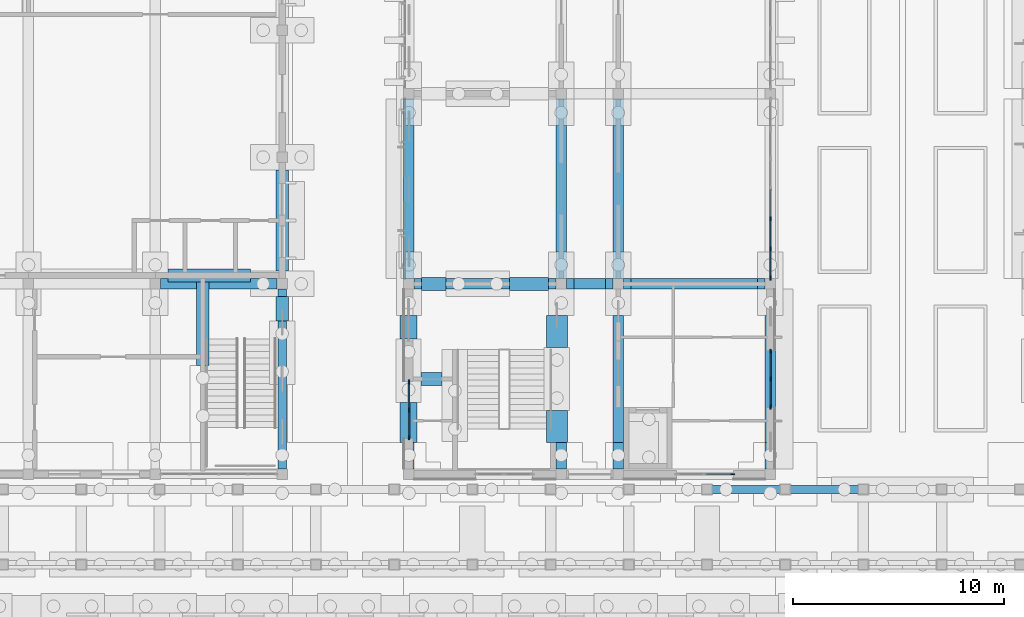
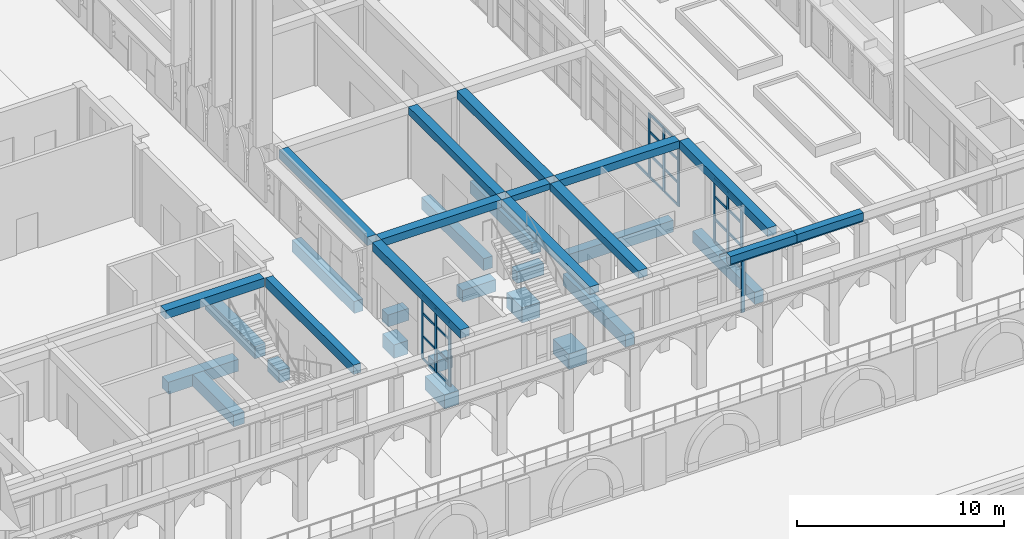
# One storey, part 21 of 161: 36 members, 32 beams, 4 elements without a shape of their own.
"""IFC4 building model written with IfcOpenShell, lengths in metres."""

from ifc_helpers import new_model, si_unit, direction, frame, origin, origin_2d, place, context, subcontext, project, spatial, polyline, rectangle, outline, extrude, material, layer, layer_set, material_profile, profile_set, type_object, element, aggregate, save


model = new_model("IFC4")

# Units and contexts
model_context = context("Model", 3, precision=1e-05, world=origin(), true_north=direction((0.0, 1.0)))
body_context = subcontext(model_context, "Body", "Model", "MODEL_VIEW")
ifc_project = project(units=[si_unit("LENGTHUNIT", "METRE"), si_unit("AREAUNIT", "SQUARE_METRE"), si_unit("VOLUMEUNIT", "CUBIC_METRE"), si_unit("PLANEANGLEUNIT", "RADIAN"), si_unit("MASSUNIT", "GRAM", prefix="KILO")], contexts=[model_context])

# Site, building, storey
site_placement = place(None, origin())
site = spatial("IfcSite", under=ifc_project, at=site_placement, CompositionType="ELEMENT")
building_placement = place(site_placement, origin())
building = spatial("IfcBuilding", under=site, at=building_placement, Name="Elbe Cascade School", CompositionType="ELEMENT")
storey_placement = place(building_placement, origin())
storey = spatial("IfcBuildingStorey", under=building, at=storey_placement, Name="L00", CompositionType="ELEMENT", Elevation=0.0)

# Beams
ifc_material_1 = material(Name="Concrete C30/37", Category="concrete")
ifc_material_profile_1 = material_profile(ifc_material_1, rectangle(XDim=0.39990234375, YDim=0.550048828125, at=origin_2d()), Name="RC 400x550")
ifc_profile_set_1 = profile_set([ifc_material_profile_1], Name="Concrete C30/37")
beam_type_1 = type_object("IfcBeamType", Name="Assembly hall beam RC 400x550", PredefinedType="BEAM", material=ifc_profile_set_1)
beam_1_placement = place(storey_placement, frame((63.0, 6.25, 3.97509765625), z_axis=(0.0, 1.0, 0.0), x_axis=(-1.0, 0.0, 0.0)))
element("IfcBeam", 1, at=beam_1_placement, inside=storey, type_object=beam_type_1, Name="Assembly hall beam RC 400x550 B21", PredefinedType="BEAM", context=body_context, shape_type="SweptSolid", body=[
    extrude(rectangle(XDim=0.39990234375, YDim=0.550048828125, at=origin_2d()), origin(), (0.0, 0.0, 1.0), 8.5),
])
ifc_material_2 = material(Name="Concrete C30/37", Category="concrete")
ifc_material_profile_2 = material_profile(ifc_material_2, rectangle(XDim=0.5, YDim=0.5, at=origin_2d()), Name="RC 500x500")
ifc_profile_set_2 = profile_set([ifc_material_profile_2], Name="Concrete C30/37")
beam_type_2 = type_object("IfcBeamType", Name="Assembly hall beam RC 500x500", PredefinedType="BEAM", material=ifc_profile_set_2)
beam_2_placement = place(storey_placement, frame((57.25, 15.0, 4.0), z_axis=(1.0, 0.0, 0.0), x_axis=(0.0, 1.0, 0.0)))
element("IfcBeam", 2, at=beam_2_placement, inside=storey, type_object=beam_type_2, Name="Assembly hall beam RC 500x500 B20", PredefinedType="BEAM", context=body_context, shape_type="SweptSolid", body=[
    extrude(rectangle(XDim=0.5, YDim=0.5, at=origin_2d()), origin(), (0.0, 0.0, 1.0), 5.5),
])

# Curtain wall, members
ifc_material_3 = material(Name="Aluminium frame with double glazing, bronze anodised", Category="aluminium")
ifc_layer = layer(ifc_material_3, 0.199951171875)
ifc_layer_set = layer_set([ifc_layer], Name="Aluminium frame with double glazing, bronze anodised")
curtain_wall_type = type_object("IfcCurtainWallType", Name="Bars envelope Curtain wall, aluminium, bronze anodised, ground floor tall run", PredefinedType="NOTDEFINED", material=ifc_layer_set)
curtain_wall_1_placement = place(storey_placement, origin())
curtain_wall_1 = element("IfcCurtainWall", 3, at=curtain_wall_1_placement, inside=storey, type_object=curtain_wall_type, Name="Curtain wall CW3 A.L00.w1", PredefinedType="NOTDEFINED")
ifc_material_4 = material(Name="Aluminium mullion, bronze anodised", Category="aluminium")
ifc_material_profile_3 = material_profile(ifc_material_4, rectangle(XDim=0.06005859375, YDim=0.199951171875, at=origin_2d()), Name="Bars envelope Curtain wall mullion 60 x 200, aluminium, ground floor tall run")
ifc_profile_set_3 = profile_set([ifc_material_profile_3], Name="Aluminium mullion, bronze anodised")
member_type_1 = type_object("IfcMemberType", Name="Bars envelope Curtain wall mullion 60 x 200, aluminium, ground floor tall run", PredefinedType="MULLION", material=ifc_profile_set_3)
member_1_placement = place(storey_placement, frame((69.0, 7.719970703125, 0.0), z_axis=(0.0, 0.0, 1.0), x_axis=(-1.0, 0.0, 0.0)))
member_1 = element("IfcMember", 4, at=member_1_placement, type_object=member_type_1, Name="CW3 mullion 1", PredefinedType="MULLION", context=body_context, shape_type="SweptSolid", body=[
    extrude(rectangle(XDim=0.06005859375, YDim=0.199951171875, at=origin_2d()), origin(), (0.0, 0.0, 1.0), 3.75),
])
member_2_placement = place(storey_placement, frame((69.0, 9.0400390625, 0.0), z_axis=(0.0, 0.0, 1.0), x_axis=(-1.0, 0.0, 0.0)))
member_2 = element("IfcMember", 5, at=member_2_placement, type_object=member_type_1, Name="CW3 mullion 2", PredefinedType="MULLION", context=body_context, shape_type="SweptSolid", body=[
    extrude(rectangle(XDim=0.06005859375, YDim=0.199951171875, at=origin_2d()), origin(), (0.0, 0.0, 1.0), 3.75),
])
member_3_placement = place(storey_placement, frame((69.0, 10.360107421875, 0.0), z_axis=(0.0, 0.0, 1.0), x_axis=(-1.0, 0.0, 0.0)))
member_3 = element("IfcMember", 6, at=member_3_placement, type_object=member_type_1, Name="CW3 mullion 3", PredefinedType="MULLION", context=body_context, shape_type="SweptSolid", body=[
    extrude(rectangle(XDim=0.06005859375, YDim=0.199951171875, at=origin_2d()), origin(), (0.0, 0.0, 1.0), 3.75),
])

curtain_wall_2_placement = place(storey_placement, origin())
curtain_wall_2 = element("IfcCurtainWall", 7, at=curtain_wall_2_placement, inside=storey, type_object=curtain_wall_type, Name="Curtain wall CW3 A.L00.e1", PredefinedType="NOTDEFINED")
member_4_placement = place(storey_placement, frame((86.10009765625, 11.820068359375, 0.0), z_axis=(0.0, 0.0, 1.0), x_axis=(1.0, 0.0, 0.0)))
member_4 = element("IfcMember", 8, at=member_4_placement, type_object=member_type_1, Name="CW3 mullion 1", PredefinedType="MULLION", context=body_context, shape_type="SweptSolid", body=[
    extrude(rectangle(XDim=0.06005859375, YDim=0.199951171875, at=origin_2d()), origin(), (0.0, 0.0, 1.0), 3.75),
])
member_5_placement = place(storey_placement, frame((86.10009765625, 10.5, 0.0), z_axis=(0.0, 0.0, 1.0), x_axis=(1.0, 0.0, 0.0)))
member_5 = element("IfcMember", 9, at=member_5_placement, type_object=member_type_1, Name="CW3 mullion 2", PredefinedType="MULLION", context=body_context, shape_type="SweptSolid", body=[
    extrude(rectangle(XDim=0.06005859375, YDim=0.199951171875, at=origin_2d()), origin(), (0.0, 0.0, 1.0), 3.75),
])
member_6_placement = place(storey_placement, frame((86.10009765625, 9.179931640625, 0.0), z_axis=(0.0, 0.0, 1.0), x_axis=(1.0, 0.0, 0.0)))
member_6 = element("IfcMember", 10, at=member_6_placement, type_object=member_type_1, Name="CW3 mullion 3", PredefinedType="MULLION", context=body_context, shape_type="SweptSolid", body=[
    extrude(rectangle(XDim=0.06005859375, YDim=0.199951171875, at=origin_2d()), origin(), (0.0, 0.0, 1.0), 3.75),
])

curtain_wall_3_placement = place(storey_placement, origin())
curtain_wall_3 = element("IfcCurtainWall", 11, at=curtain_wall_3_placement, inside=storey, type_object=curtain_wall_type, Name="Curtain wall CW3 A.L00.e2", PredefinedType="NOTDEFINED")
member_7_placement = place(storey_placement, frame((86.10009765625, 18.083251953125, 0.0), z_axis=(0.0, 0.0, 1.0), x_axis=(1.0, 0.0, 0.0)))
member_7 = element("IfcMember", 12, at=member_7_placement, type_object=member_type_1, Name="CW3 mullion 5", PredefinedType="MULLION", context=body_context, shape_type="SweptSolid", body=[
    extrude(rectangle(XDim=0.06005859375, YDim=0.199951171875, at=origin_2d()), origin(), (0.0, 0.0, 1.0), 3.75),
])
member_8_placement = place(storey_placement, frame((86.10009765625, 16.666748046875, 0.0), z_axis=(0.0, 0.0, 1.0), x_axis=(1.0, 0.0, 0.0)))
member_8 = element("IfcMember", 13, at=member_8_placement, type_object=member_type_1, Name="CW3 mullion 6", PredefinedType="MULLION", context=body_context, shape_type="SweptSolid", body=[
    extrude(rectangle(XDim=0.06005859375, YDim=0.199951171875, at=origin_2d()), origin(), (0.0, 0.0, 1.0), 3.75),
])
member_9_placement = place(storey_placement, frame((86.10009765625, 15.280029296875, 0.0), z_axis=(0.0, 0.0, 1.0), x_axis=(1.0, 0.0, 0.0)))
member_9 = element("IfcMember", 14, at=member_9_placement, type_object=member_type_1, Name="CW3 mullion 7", PredefinedType="MULLION", context=body_context, shape_type="SweptSolid", body=[
    extrude(rectangle(XDim=0.06005859375, YDim=0.199951171875, at=origin_2d()), origin(), (0.0, 0.0, 1.0), 3.75),
])

# Curtain wall, member
curtain_wall_4_placement = place(storey_placement, origin())
curtain_wall_4 = element("IfcCurtainWall", 15, at=curtain_wall_4_placement, inside=storey, type_object=curtain_wall_type, Name="Curtain wall CW3 A.L00.s3", PredefinedType="NOTDEFINED")
member_10_placement = place(storey_placement, frame((84.320068359375, 6.0, 0.0), z_axis=(0.0, 0.0, 1.0), x_axis=(0.0, -1.0, 0.0)))
member_10 = element("IfcMember", 16, at=member_10_placement, type_object=member_type_1, Name="CW3 mullion 1", PredefinedType="MULLION", context=body_context, shape_type="SweptSolid", body=[
    extrude(rectangle(XDim=0.06005859375, YDim=0.199951171875, at=origin_2d()), origin(), (0.0, 0.0, 1.0), 3.800048828125),
])

# Member
ifc_material_5 = material(Name="Aluminium transom, bronze anodised", Category="aluminium")
ifc_material_profile_4 = material_profile(ifc_material_5, rectangle(XDim=0.06005859375, YDim=0.139892578125, at=origin_2d()), Name="Bars envelope Curtain wall transom 60 x 140, aluminium, ground floor tall run")
ifc_profile_set_4 = profile_set([ifc_material_profile_4], Name="Aluminium transom, bronze anodised")
member_type_2 = type_object("IfcMemberType", Name="Bars envelope Curtain wall transom 60 x 140, aluminium, ground floor tall run", PredefinedType="USERDEFINED", material=ifc_profile_set_4)
member_11_placement = place(storey_placement, frame((69.0, 7.75, 0.030029296875), z_axis=(0.0, 1.0, 0.0), x_axis=(-1.0, 0.0, 0.0)))
member_11 = element("IfcMember", 17, at=member_11_placement, type_object=member_type_2, Name="CW3 transom 1.1", ObjectType="TRANSOM", PredefinedType="USERDEFINED", context=body_context, shape_type="SweptSolid", body=[
    extrude(rectangle(XDim=0.06005859375, YDim=0.139892578125, at=origin_2d()), origin(), (0.0, 0.0, 1.0), 1.260009765625),
])

member_12_placement = place(storey_placement, frame((69.0, 7.75, 1.35009765625), z_axis=(0.0, 1.0, 0.0), x_axis=(-1.0, 0.0, 0.0)))
member_12 = element("IfcMember", 18, at=member_12_placement, type_object=member_type_2, Name="CW3 transom 1.2", ObjectType="TRANSOM", PredefinedType="USERDEFINED", context=body_context, shape_type="SweptSolid", body=[
    extrude(rectangle(XDim=0.06005859375, YDim=0.139892578125, at=origin_2d()), origin(), (0.0, 0.0, 1.0), 1.260009765625),
])

member_13_placement = place(storey_placement, frame((69.0, 7.75, 2.699951171875), z_axis=(0.0, 1.0, 0.0), x_axis=(-1.0, 0.0, 0.0)))
member_13 = element("IfcMember", 19, at=member_13_placement, type_object=member_type_2, Name="CW3 transom 1.3", ObjectType="TRANSOM", PredefinedType="USERDEFINED", context=body_context, shape_type="SweptSolid", body=[
    extrude(rectangle(XDim=0.06005859375, YDim=0.139892578125, at=origin_2d()), origin(), (0.0, 0.0, 1.0), 1.260009765625),
])

member_14_placement = place(storey_placement, frame((69.0, 7.75, 3.719970703125), z_axis=(0.0, 1.0, 0.0), x_axis=(-1.0, 0.0, 0.0)))
member_14 = element("IfcMember", 20, at=member_14_placement, type_object=member_type_2, Name="CW3 transom 1.4", ObjectType="TRANSOM", PredefinedType="USERDEFINED", context=body_context, shape_type="SweptSolid", body=[
    extrude(rectangle(XDim=0.06005859375, YDim=0.139892578125, at=origin_2d()), origin(), (0.0, 0.0, 1.0), 1.260009765625),
])

member_15_placement = place(storey_placement, frame((69.0, 9.070068359375, 0.030029296875), z_axis=(0.0, 1.0, 0.0), x_axis=(-1.0, 0.0, 0.0)))
member_15 = element("IfcMember", 21, at=member_15_placement, type_object=member_type_2, Name="CW3 transom 2.1", ObjectType="TRANSOM", PredefinedType="USERDEFINED", context=body_context, shape_type="SweptSolid", body=[
    extrude(rectangle(XDim=0.06005859375, YDim=0.139892578125, at=origin_2d()), origin(), (0.0, 0.0, 1.0), 1.260009765625),
])

member_16_placement = place(storey_placement, frame((69.0, 9.070068359375, 1.35009765625), z_axis=(0.0, 1.0, 0.0), x_axis=(-1.0, 0.0, 0.0)))
member_16 = element("IfcMember", 22, at=member_16_placement, type_object=member_type_2, Name="CW3 transom 2.2", ObjectType="TRANSOM", PredefinedType="USERDEFINED", context=body_context, shape_type="SweptSolid", body=[
    extrude(rectangle(XDim=0.06005859375, YDim=0.139892578125, at=origin_2d()), origin(), (0.0, 0.0, 1.0), 1.260009765625),
])

member_17_placement = place(storey_placement, frame((69.0, 9.070068359375, 2.699951171875), z_axis=(0.0, 1.0, 0.0), x_axis=(-1.0, 0.0, 0.0)))
member_17 = element("IfcMember", 23, at=member_17_placement, type_object=member_type_2, Name="CW3 transom 2.3", ObjectType="TRANSOM", PredefinedType="USERDEFINED", context=body_context, shape_type="SweptSolid", body=[
    extrude(rectangle(XDim=0.06005859375, YDim=0.139892578125, at=origin_2d()), origin(), (0.0, 0.0, 1.0), 1.260009765625),
])

member_18_placement = place(storey_placement, frame((69.0, 9.070068359375, 3.719970703125), z_axis=(0.0, 1.0, 0.0), x_axis=(-1.0, 0.0, 0.0)))
member_18 = element("IfcMember", 24, at=member_18_placement, type_object=member_type_2, Name="CW3 transom 2.4", ObjectType="TRANSOM", PredefinedType="USERDEFINED", context=body_context, shape_type="SweptSolid", body=[
    extrude(rectangle(XDim=0.06005859375, YDim=0.139892578125, at=origin_2d()), origin(), (0.0, 0.0, 1.0), 1.260009765625),
])

aggregate(curtain_wall_1, [member_1, member_2, member_3, member_11, member_12, member_13, member_14, member_15, member_16, member_17, member_18])

member_19_placement = place(storey_placement, frame((86.10009765625, 11.7900390625, 0.030029296875), z_axis=(0.0, -1.0, 0.0), x_axis=(1.0, 0.0, 0.0)))
member_19 = element("IfcMember", 25, at=member_19_placement, type_object=member_type_2, Name="CW3 transom 1.1", ObjectType="TRANSOM", PredefinedType="USERDEFINED", context=body_context, shape_type="SweptSolid", body=[
    extrude(rectangle(XDim=0.06005859375, YDim=0.139892578125, at=origin_2d()), origin(), (0.0, 0.0, 1.0), 1.260009765625),
])

member_20_placement = place(storey_placement, frame((86.10009765625, 11.7900390625, 1.35009765625), z_axis=(0.0, -1.0, 0.0), x_axis=(1.0, 0.0, 0.0)))
member_20 = element("IfcMember", 26, at=member_20_placement, type_object=member_type_2, Name="CW3 transom 1.2", ObjectType="TRANSOM", PredefinedType="USERDEFINED", context=body_context, shape_type="SweptSolid", body=[
    extrude(rectangle(XDim=0.06005859375, YDim=0.139892578125, at=origin_2d()), origin(), (0.0, 0.0, 1.0), 1.260009765625),
])

member_21_placement = place(storey_placement, frame((86.10009765625, 11.7900390625, 2.699951171875), z_axis=(0.0, -1.0, 0.0), x_axis=(1.0, 0.0, 0.0)))
member_21 = element("IfcMember", 27, at=member_21_placement, type_object=member_type_2, Name="CW3 transom 1.3", ObjectType="TRANSOM", PredefinedType="USERDEFINED", context=body_context, shape_type="SweptSolid", body=[
    extrude(rectangle(XDim=0.06005859375, YDim=0.139892578125, at=origin_2d()), origin(), (0.0, 0.0, 1.0), 1.260009765625),
])

member_22_placement = place(storey_placement, frame((86.10009765625, 11.7900390625, 3.719970703125), z_axis=(0.0, -1.0, 0.0), x_axis=(1.0, 0.0, 0.0)))
member_22 = element("IfcMember", 28, at=member_22_placement, type_object=member_type_2, Name="CW3 transom 1.4", ObjectType="TRANSOM", PredefinedType="USERDEFINED", context=body_context, shape_type="SweptSolid", body=[
    extrude(rectangle(XDim=0.06005859375, YDim=0.139892578125, at=origin_2d()), origin(), (0.0, 0.0, 1.0), 1.260009765625),
])

member_23_placement = place(storey_placement, frame((86.10009765625, 10.469970703125, 0.030029296875), z_axis=(0.0, -1.0, 0.0), x_axis=(1.0, 0.0, 0.0)))
member_23 = element("IfcMember", 29, at=member_23_placement, type_object=member_type_2, Name="CW3 transom 2.1", ObjectType="TRANSOM", PredefinedType="USERDEFINED", context=body_context, shape_type="SweptSolid", body=[
    extrude(rectangle(XDim=0.06005859375, YDim=0.139892578125, at=origin_2d()), origin(), (0.0, 0.0, 1.0), 1.260009765625),
])

member_24_placement = place(storey_placement, frame((86.10009765625, 10.469970703125, 1.35009765625), z_axis=(0.0, -1.0, 0.0), x_axis=(1.0, 0.0, 0.0)))
member_24 = element("IfcMember", 30, at=member_24_placement, type_object=member_type_2, Name="CW3 transom 2.2", ObjectType="TRANSOM", PredefinedType="USERDEFINED", context=body_context, shape_type="SweptSolid", body=[
    extrude(rectangle(XDim=0.06005859375, YDim=0.139892578125, at=origin_2d()), origin(), (0.0, 0.0, 1.0), 1.260009765625),
])

member_25_placement = place(storey_placement, frame((86.10009765625, 10.469970703125, 2.699951171875), z_axis=(0.0, -1.0, 0.0), x_axis=(1.0, 0.0, 0.0)))
member_25 = element("IfcMember", 31, at=member_25_placement, type_object=member_type_2, Name="CW3 transom 2.3", ObjectType="TRANSOM", PredefinedType="USERDEFINED", context=body_context, shape_type="SweptSolid", body=[
    extrude(rectangle(XDim=0.06005859375, YDim=0.139892578125, at=origin_2d()), origin(), (0.0, 0.0, 1.0), 1.260009765625),
])

member_26_placement = place(storey_placement, frame((86.10009765625, 10.469970703125, 3.719970703125), z_axis=(0.0, -1.0, 0.0), x_axis=(1.0, 0.0, 0.0)))
member_26 = element("IfcMember", 32, at=member_26_placement, type_object=member_type_2, Name="CW3 transom 2.4", ObjectType="TRANSOM", PredefinedType="USERDEFINED", context=body_context, shape_type="SweptSolid", body=[
    extrude(rectangle(XDim=0.06005859375, YDim=0.139892578125, at=origin_2d()), origin(), (0.0, 0.0, 1.0), 1.260009765625),
])

aggregate(curtain_wall_2, [member_4, member_5, member_6, member_19, member_20, member_21, member_22, member_23, member_24, member_25, member_26])

member_27_placement = place(storey_placement, frame((86.10009765625, 19.469970703125, 0.030029296875), z_axis=(0.0, -1.0, 0.0), x_axis=(1.0, 0.0, 0.0)))
member_27 = element("IfcMember", 33, at=member_27_placement, type_object=member_type_2, Name="CW3 transom 4.1", ObjectType="TRANSOM", PredefinedType="USERDEFINED", context=body_context, shape_type="SweptSolid", body=[
    extrude(rectangle(XDim=0.06005859375, YDim=0.139892578125, at=origin_2d()), origin(), (0.0, 0.0, 1.0), 1.356689453125),
])

member_28_placement = place(storey_placement, frame((86.10009765625, 18.05322265625, 0.030029296875), z_axis=(0.0, -1.0, 0.0), x_axis=(1.0, 0.0, 0.0)))
member_28 = element("IfcMember", 34, at=member_28_placement, type_object=member_type_2, Name="CW3 transom 5.1", ObjectType="TRANSOM", PredefinedType="USERDEFINED", context=body_context, shape_type="SweptSolid", body=[
    extrude(rectangle(XDim=0.06005859375, YDim=0.139892578125, at=origin_2d()), origin(), (0.0, 0.0, 1.0), 1.3564453125),
])

member_29_placement = place(storey_placement, frame((86.10009765625, 18.05322265625, 1.35009765625), z_axis=(0.0, -1.0, 0.0), x_axis=(1.0, 0.0, 0.0)))
member_29 = element("IfcMember", 35, at=member_29_placement, type_object=member_type_2, Name="CW3 transom 5.2", ObjectType="TRANSOM", PredefinedType="USERDEFINED", context=body_context, shape_type="SweptSolid", body=[
    extrude(rectangle(XDim=0.06005859375, YDim=0.139892578125, at=origin_2d()), origin(), (0.0, 0.0, 1.0), 1.3564453125),
])

member_30_placement = place(storey_placement, frame((86.10009765625, 18.05322265625, 2.699951171875), z_axis=(0.0, -1.0, 0.0), x_axis=(1.0, 0.0, 0.0)))
member_30 = element("IfcMember", 36, at=member_30_placement, type_object=member_type_2, Name="CW3 transom 5.3", ObjectType="TRANSOM", PredefinedType="USERDEFINED", context=body_context, shape_type="SweptSolid", body=[
    extrude(rectangle(XDim=0.06005859375, YDim=0.139892578125, at=origin_2d()), origin(), (0.0, 0.0, 1.0), 1.3564453125),
])

member_31_placement = place(storey_placement, frame((86.10009765625, 18.05322265625, 3.719970703125), z_axis=(0.0, -1.0, 0.0), x_axis=(1.0, 0.0, 0.0)))
member_31 = element("IfcMember", 37, at=member_31_placement, type_object=member_type_2, Name="CW3 transom 5.4", ObjectType="TRANSOM", PredefinedType="USERDEFINED", context=body_context, shape_type="SweptSolid", body=[
    extrude(rectangle(XDim=0.06005859375, YDim=0.139892578125, at=origin_2d()), origin(), (0.0, 0.0, 1.0), 1.3564453125),
])

member_32_placement = place(storey_placement, frame((86.10009765625, 16.63671875, 0.030029296875), z_axis=(0.0, -1.0, 0.0), x_axis=(1.0, 0.0, 0.0)))
member_32 = element("IfcMember", 38, at=member_32_placement, type_object=member_type_2, Name="CW3 transom 6.1", ObjectType="TRANSOM", PredefinedType="USERDEFINED", context=body_context, shape_type="SweptSolid", body=[
    extrude(rectangle(XDim=0.06005859375, YDim=0.139892578125, at=origin_2d()), origin(), (0.0, 0.0, 1.0), 1.32666015625),
])

member_33_placement = place(storey_placement, frame((86.10009765625, 16.63671875, 1.35009765625), z_axis=(0.0, -1.0, 0.0), x_axis=(1.0, 0.0, 0.0)))
member_33 = element("IfcMember", 39, at=member_33_placement, type_object=member_type_2, Name="CW3 transom 6.2", ObjectType="TRANSOM", PredefinedType="USERDEFINED", context=body_context, shape_type="SweptSolid", body=[
    extrude(rectangle(XDim=0.06005859375, YDim=0.139892578125, at=origin_2d()), origin(), (0.0, 0.0, 1.0), 1.32666015625),
])

member_34_placement = place(storey_placement, frame((86.10009765625, 16.63671875, 2.699951171875), z_axis=(0.0, -1.0, 0.0), x_axis=(1.0, 0.0, 0.0)))
member_34 = element("IfcMember", 40, at=member_34_placement, type_object=member_type_2, Name="CW3 transom 6.3", ObjectType="TRANSOM", PredefinedType="USERDEFINED", context=body_context, shape_type="SweptSolid", body=[
    extrude(rectangle(XDim=0.06005859375, YDim=0.139892578125, at=origin_2d()), origin(), (0.0, 0.0, 1.0), 1.32666015625),
])

member_35_placement = place(storey_placement, frame((86.10009765625, 16.63671875, 3.719970703125), z_axis=(0.0, -1.0, 0.0), x_axis=(1.0, 0.0, 0.0)))
member_35 = element("IfcMember", 41, at=member_35_placement, type_object=member_type_2, Name="CW3 transom 6.4", ObjectType="TRANSOM", PredefinedType="USERDEFINED", context=body_context, shape_type="SweptSolid", body=[
    extrude(rectangle(XDim=0.06005859375, YDim=0.139892578125, at=origin_2d()), origin(), (0.0, 0.0, 1.0), 1.32666015625),
])

aggregate(curtain_wall_3, [member_7, member_8, member_9, member_27, member_28, member_29, member_30, member_31, member_32, member_33, member_34, member_35])

member_36_placement = place(storey_placement, frame((84.2900390625, 6.0, 3.77001953125), z_axis=(-1.0, 0.0, 0.0), x_axis=(0.0, -1.0, 0.0)))
member_36 = element("IfcMember", 42, at=member_36_placement, type_object=member_type_2, Name="CW3 transom 1.4", ObjectType="TRANSOM", PredefinedType="USERDEFINED", context=body_context, shape_type="SweptSolid", body=[
    extrude(rectangle(XDim=0.06005859375, YDim=0.139892578125, at=origin_2d()), origin(), (0.0, 0.0, 1.0), 1.260009765625),
])

aggregate(curtain_wall_4, [member_10, member_36])

# Beams
ifc_material_6 = material(Name="Concrete C35/45", Category="concrete")
ifc_material_profile_5 = material_profile(ifc_material_6, outline(polyline([(-0.199951171875, 0.300048828125), (0.199951171875, 0.300048828125), (0.199951171875, -0.14990234375), (0.10009765625, -0.300048828125), (-0.10009765625, -0.300048828125), (-0.199951171875, -0.14990234375), (-0.199951171875, 0.300048828125)])), Name="RC arch 400x600")
ifc_profile_set_5 = profile_set([ifc_material_profile_5], Name="Concrete C35/45")
beam_type_3 = type_object("IfcBeamType", Name="Colonnade arch beam 400x600", PredefinedType="USERDEFINED", material=ifc_profile_set_5)
for number, where, z_axis, x_axis, name in (
    (43, (83.10009765625, 5.27490234375, 3.949951171875), (1.0, 0.0, 0.0), (0.0, 1.0, 0.0), "Colonnade arch beam R21"),
    (44, (86.800048828125, 5.27490234375, 3.949951171875), (1.0, 0.0, 0.0), (0.0, 1.0, 0.0), "Colonnade arch beam R22"),
):
    element("IfcBeam", number, at=place(storey_placement, frame(where, z_axis=z_axis, x_axis=x_axis)), inside=storey, type_object=beam_type_3, Name=name, ObjectType="ARCH", PredefinedType="USERDEFINED", context=body_context, shape_type="SweptSolid", body=[
        extrude(outline(polyline([(-0.199951171875, 0.300048828125), (0.199951171875, 0.300048828125), (0.199951171875, -0.14990234375), (0.10009765625, -0.300048828125), (-0.10009765625, -0.300048828125), (-0.199951171875, -0.14990234375), (-0.199951171875, 0.300048828125)])), origin(), (0.0, 0.0, 1.0), 3.699951171875),
    ])
ifc_material_7 = material(Name="Concrete C30/37", Category="concrete")
ifc_material_profile_6 = material_profile(ifc_material_7, rectangle(XDim=1.0, YDim=0.89990234375, at=origin_2d()), Name="RC 1000x900")
ifc_profile_set_6 = profile_set([ifc_material_profile_6], Name="Concrete C30/37")
beam_type_4 = type_object("IfcBeamType", Name="Found ground beam RC 1000x900", PredefinedType="BEAM", material=ifc_profile_set_6)
for number, where, z_axis, x_axis, name in (
    (45, (76.0, 7.5, -0.75), (0.0, 1.0, 0.0), (-1.0, 0.0, 0.0), "Ground beam 054"),
    (46, (76.0, 12.0, -0.75), (0.0, 1.0, 0.0), (-1.0, 0.0, 0.0), "Ground beam 055"),
):
    element("IfcBeam", number, at=place(storey_placement, frame(where, z_axis=z_axis, x_axis=x_axis)), inside=storey, type_object=beam_type_4, Name=name, PredefinedType="BEAM", context=body_context, shape_type="SweptSolid", body=[
        extrude(rectangle(XDim=1.0, YDim=0.89990234375, at=origin_2d()), origin(), (0.0, 0.0, 1.0), 1.5),
    ])
ifc_material_8 = material(Name="Concrete C30/37", Category="concrete")
ifc_material_profile_7 = material_profile(ifc_material_8, rectangle(XDim=0.5, YDim=0.699951171875, at=origin_2d()), Name="RC 500x700")
ifc_profile_set_7 = profile_set([ifc_material_profile_7], Name="Concrete C30/37")
beam_type_5 = type_object("IfcBeamType", Name="Found ground beam RC 500x700", PredefinedType="BEAM", material=ifc_profile_set_7)
beam_3_placement = place(storey_placement, frame((76.800048828125, 15.0, -0.64990234375), z_axis=(1.0, 0.0, 0.0), x_axis=(0.0, 1.0, 0.0)))
element("IfcBeam", 47, at=beam_3_placement, inside=storey, type_object=beam_type_5, Name="Ground beam 178", PredefinedType="BEAM", context=body_context, shape_type="SweptSolid", body=[
    extrude(rectangle(XDim=0.5, YDim=0.699951171875, at=origin_2d()), origin(), (0.0, 0.0, 1.0), 1.5),
])
for number, where, z_axis, x_axis, name in (
    (48, (79.5, 15.0, -0.64990234375), (1.0, 0.0, 0.0), (0.0, 1.0, 0.0), "Ground beam 179"),
    (49, (69.0, 16.5, -0.64990234375), (0.0, 1.0, 0.0), (-1.0, 0.0, 0.0), "Ground beam 186"),
    (50, (76.199951171875, 16.5, -0.64990234375), (0.0, 1.0, 0.0), (-1.0, 0.0, 0.0), "Ground beam 191"),
    (51, (78.89990234375, 7.5, -0.64990234375), (0.0, 1.0, 0.0), (-1.0, 0.0, 0.0), "Ground beam 196"),
    (52, (78.89990234375, 16.5, -0.64990234375), (0.0, 1.0, 0.0), (-1.0, 0.0, 0.0), "Ground beam 197"),
    (53, (86.10009765625, 7.5, -0.64990234375), (0.0, 1.0, 0.0), (-1.0, 0.0, 0.0), "Ground beam 203"),
):
    element("IfcBeam", number, at=place(storey_placement, frame(where, z_axis=z_axis, x_axis=x_axis)), inside=storey, type_object=beam_type_5, Name=name, PredefinedType="BEAM", context=body_context, shape_type="SweptSolid", body=[
        extrude(rectangle(XDim=0.5, YDim=0.699951171875, at=origin_2d()), origin(), (0.0, 0.0, 1.0), 6.0),
    ])
ifc_material_9 = material(Name="Concrete C30/37", Category="concrete")
ifc_material_profile_8 = material_profile(ifc_material_9, rectangle(XDim=0.60009765625, YDim=0.699951171875, at=origin_2d()), Name="RC 600x700")
ifc_profile_set_8 = profile_set([ifc_material_profile_8], Name="Concrete C30/37")
beam_type_6 = type_object("IfcBeamType", Name="Found ground beam RC 600x700", PredefinedType="BEAM", material=ifc_profile_set_8)
beam_4_placement = place(storey_placement, frame((63.0, 13.25, -0.64990234375), z_axis=(0.0, 1.0, 0.0), x_axis=(-1.0, 0.0, 0.0)))
element("IfcBeam", 54, at=beam_4_placement, inside=storey, type_object=beam_type_6, Name="Ground beam 107", PredefinedType="BEAM", context=body_context, shape_type="SweptSolid", body=[
    extrude(rectangle(XDim=0.60009765625, YDim=0.699951171875, at=origin_2d()), origin(), (0.0, 0.0, 1.0), 1.14990234375),
])
beam_5_placement = place(storey_placement, frame((63.0, 15.60009765625, -0.64990234375), z_axis=(0.0, 1.0, 0.0), x_axis=(-1.0, 0.0, 0.0)))
element("IfcBeam", 55, at=beam_5_placement, inside=storey, type_object=beam_type_6, Name="Ground beam 108", PredefinedType="BEAM", context=body_context, shape_type="SweptSolid", body=[
    extrude(rectangle(XDim=0.60009765625, YDim=0.699951171875, at=origin_2d()), origin(), (0.0, 0.0, 1.0), 4.7998046875),
])
beam_6_placement = place(storey_placement, frame((57.60009765625, 15.39990234375, -0.64990234375), z_axis=(1.0, 0.0, 0.0), x_axis=(0.0, 1.0, 0.0)))
element("IfcBeam", 56, at=beam_6_placement, inside=storey, type_object=beam_type_6, Name="Ground beam 124", PredefinedType="BEAM", context=body_context, shape_type="SweptSolid", body=[
    extrude(rectangle(XDim=0.60009765625, YDim=0.699951171875, at=origin_2d()), origin(), (0.0, 0.0, 1.0), 3.89990234375),
])
beam_7_placement = place(storey_placement, frame((59.25, 11.14990234375, -0.64990234375), z_axis=(0.0, 1.0, 0.0), x_axis=(-1.0, 0.0, 0.0)))
element("IfcBeam", 57, at=beam_7_placement, inside=storey, type_object=beam_type_6, Name="Ground beam 135", PredefinedType="BEAM", context=body_context, shape_type="SweptSolid", body=[
    extrude(rectangle(XDim=0.60009765625, YDim=0.699951171875, at=origin_2d()), origin(), (0.0, 0.0, 1.0), 3.9501953125),
])
beam_8_placement = place(storey_placement, frame((69.60009765625, 15.0, -0.64990234375), z_axis=(1.0, 0.0, 0.0), x_axis=(0.0, 1.0, 0.0)))
element("IfcBeam", 58, at=beam_8_placement, inside=storey, type_object=beam_type_6, Name="Ground beam 144", PredefinedType="BEAM", context=body_context, shape_type="SweptSolid", body=[
    extrude(rectangle(XDim=0.60009765625, YDim=0.699951171875, at=origin_2d()), origin(), (0.0, 0.0, 1.0), 1.14990234375),
])
beam_9_placement = place(storey_placement, frame((73.75, 15.0, -0.64990234375), z_axis=(1.0, 0.0, 0.0), x_axis=(0.0, 1.0, 0.0)))
element("IfcBeam", 59, at=beam_9_placement, inside=storey, type_object=beam_type_6, Name="Ground beam 145", PredefinedType="BEAM", context=body_context, shape_type="SweptSolid", body=[
    extrude(rectangle(XDim=0.60009765625, YDim=0.699951171875, at=origin_2d()), origin(), (0.0, 0.0, 1.0), 1.85009765625),
])
beam_10_placement = place(storey_placement, frame((69.580078125, 10.5, -0.64990234375), z_axis=(1.0, 0.0, 0.0), x_axis=(0.0, 1.0, 0.0)))
element("IfcBeam", 60, at=beam_10_placement, inside=storey, type_object=beam_type_6, Name="Ground beam 176", PredefinedType="BEAM", context=body_context, shape_type="SweptSolid", body=[
    extrude(rectangle(XDim=0.60009765625, YDim=0.699951171875, at=origin_2d()), origin(), (0.0, 0.0, 1.0), 0.994873046875),
])
ifc_material_10 = material(Name="Concrete C30/37", Category="concrete")
ifc_material_profile_9 = material_profile(ifc_material_10, rectangle(XDim=0.800048828125, YDim=0.800048828125, at=origin_2d()), Name="RC 800x800")
ifc_profile_set_9 = profile_set([ifc_material_profile_9], Name="Concrete C30/37")
beam_type_7 = type_object("IfcBeamType", Name="Found ground beam RC 800x800", PredefinedType="BEAM", material=ifc_profile_set_9)
beam_11_placement = place(storey_placement, frame((68.97998046875, 7.5, -0.699951171875), z_axis=(0.0, 1.0, 0.0), x_axis=(-1.0, 0.0, 0.0)))
element("IfcBeam", 61, at=beam_11_placement, inside=storey, type_object=beam_type_7, Name="Ground beam 080", PredefinedType="BEAM", context=body_context, shape_type="SweptSolid", body=[
    extrude(rectangle(XDim=0.800048828125, YDim=0.800048828125, at=origin_2d()), origin(), (0.0, 0.0, 1.0), 1.889892578125),
])
beam_12_placement = place(storey_placement, frame((68.97998046875, 12.389892578125, -0.699951171875), z_axis=(0.0, 1.0, 0.0), x_axis=(-1.0, 0.0, 0.0)))
element("IfcBeam", 62, at=beam_12_placement, inside=storey, type_object=beam_type_7, Name="Ground beam 081", PredefinedType="BEAM", context=body_context, shape_type="SweptSolid", body=[
    extrude(rectangle(XDim=0.800048828125, YDim=0.800048828125, at=origin_2d()), origin(), (0.0, 0.0, 1.0), 1.110107421875),
])
ifc_material_11 = material(Name="Concrete C30/37", Category="concrete")
ifc_material_profile_10 = material_profile(ifc_material_11, rectangle(XDim=0.5, YDim=0.35009765625, at=origin_2d()), Name="RC 500x350")
ifc_profile_set_10 = profile_set([ifc_material_profile_10], Name="Concrete C30/37")
beam_type_8 = type_object("IfcBeamType", Name="RC 500x350 beam", PredefinedType="BEAM", material=ifc_profile_set_10)
beam_13_placement = place(storey_placement, frame((76.449951171875, 15.0, 4.074951171875), z_axis=(1.0, 0.0, 0.0), x_axis=(0.0, 1.0, 0.0)))
element("IfcBeam", 63, at=beam_13_placement, inside=storey, type_object=beam_type_8, Name="RC 500x350 beam B8", PredefinedType="BEAM", context=body_context, shape_type="SweptSolid", body=[
    extrude(rectangle(XDim=0.5, YDim=0.35009765625, at=origin_2d()), origin(), (0.0, 0.0, 1.0), 2.199951171875),
])
ifc_material_12 = material(Name="Concrete C30/37", Category="concrete")
ifc_material_profile_11 = material_profile(ifc_material_12, rectangle(XDim=0.5, YDim=0.449951171875, at=origin_2d()), Name="RC 500x450")
ifc_profile_set_11 = profile_set([ifc_material_profile_11], Name="Concrete C30/37")
beam_type_9 = type_object("IfcBeamType", Name="RC 500x450 beam", PredefinedType="BEAM", material=ifc_profile_set_11)
for number, where, z_axis, x_axis, name in (
    (64, (76.199951171875, 6.25, 4.02490234375), (0.0, 1.0, 0.0), (-1.0, 0.0, 0.0), "RC 500x450 beam B7"),
    (65, (76.199951171875, 15.25, 4.02490234375), (0.0, 1.0, 0.0), (-1.0, 0.0, 0.0), "RC 500x450 beam B7"),
    (66, (78.89990234375, 6.25, 4.02490234375), (0.0, 1.0, 0.0), (-1.0, 0.0, 0.0), "RC 500x450 beam B7"),
    (67, (78.89990234375, 15.25, 4.02490234375), (0.0, 1.0, 0.0), (-1.0, 0.0, 0.0), "RC 500x450 beam B7"),
):
    element("IfcBeam", number, at=place(storey_placement, frame(where, z_axis=z_axis, x_axis=x_axis)), inside=storey, type_object=beam_type_9, Name=name, PredefinedType="BEAM", context=body_context, shape_type="SweptSolid", body=[
        extrude(rectangle(XDim=0.5, YDim=0.449951171875, at=origin_2d()), origin(), (0.0, 0.0, 1.0), 8.5),
    ])
beam_14_placement = place(storey_placement, frame((69.25, 15.0, 4.02490234375), z_axis=(1.0, 0.0, 0.0), x_axis=(0.0, 1.0, 0.0)))
element("IfcBeam", 68, at=beam_14_placement, inside=storey, type_object=beam_type_9, Name="RC 500x450 beam B7", PredefinedType="BEAM", context=body_context, shape_type="SweptSolid", body=[
    extrude(rectangle(XDim=0.5, YDim=0.449951171875, at=origin_2d()), origin(), (0.0, 0.0, 1.0), 6.699951171875),
])
beam_15_placement = place(storey_placement, frame((79.14990234375, 15.0, 4.02490234375), z_axis=(1.0, 0.0, 0.0), x_axis=(0.0, 1.0, 0.0)))
element("IfcBeam", 69, at=beam_15_placement, inside=storey, type_object=beam_type_9, Name="RC 500x450 beam B7", PredefinedType="BEAM", context=body_context, shape_type="SweptSolid", body=[
    extrude(rectangle(XDim=0.5, YDim=0.449951171875, at=origin_2d()), origin(), (0.0, 0.0, 1.0), 6.7001953125),
])
ifc_material_13 = material(Name="Concrete C30/37", Category="concrete")
ifc_material_profile_12 = material_profile(ifc_material_13, rectangle(XDim=0.5, YDim=0.5, at=origin_2d()), Name="RC 500x500")
ifc_profile_set_12 = profile_set([ifc_material_profile_12], Name="Concrete C30/37")
beam_type_10 = type_object("IfcBeamType", Name="RC 500x500 beam", PredefinedType="BEAM", material=ifc_profile_set_12)
for number, where, z_axis, x_axis, name in (
    (70, (69.0, 6.25, 4.0), (0.0, 1.0, 0.0), (-1.0, 0.0, 0.0), "RC 500x500 beam B6"),
    (71, (69.0, 15.25, 4.0), (0.0, 1.0, 0.0), (-1.0, 0.0, 0.0), "RC 500x500 beam B6"),
    (72, (86.10009765625, 6.25, 4.0), (0.0, 1.0, 0.0), (-1.0, 0.0, 0.0), "RC 500x500 beam B6"),
):
    element("IfcBeam", number, at=place(storey_placement, frame(where, z_axis=z_axis, x_axis=x_axis)), inside=storey, type_object=beam_type_10, Name=name, PredefinedType="BEAM", context=body_context, shape_type="SweptSolid", body=[
        extrude(rectangle(XDim=0.5, YDim=0.5, at=origin_2d()), origin(), (0.0, 0.0, 1.0), 8.5),
    ])

save(model, "model.ifc")
